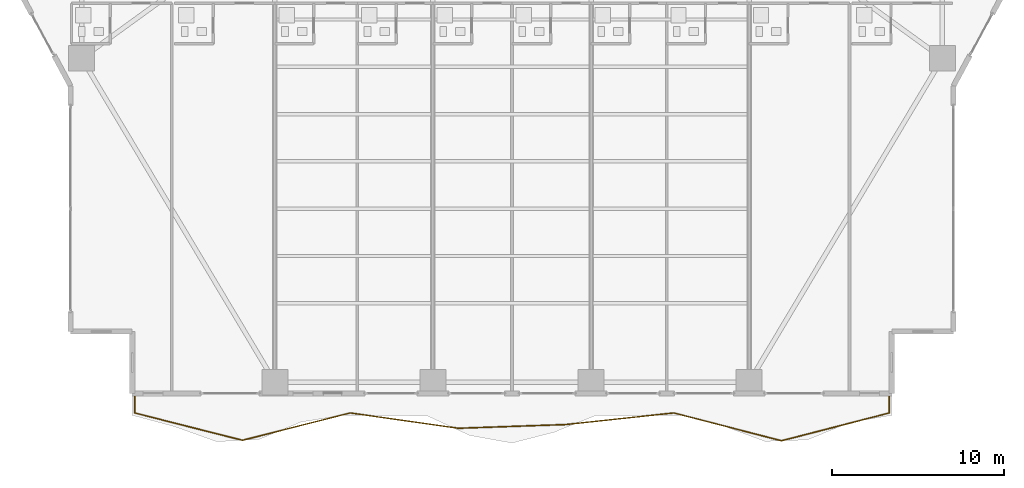
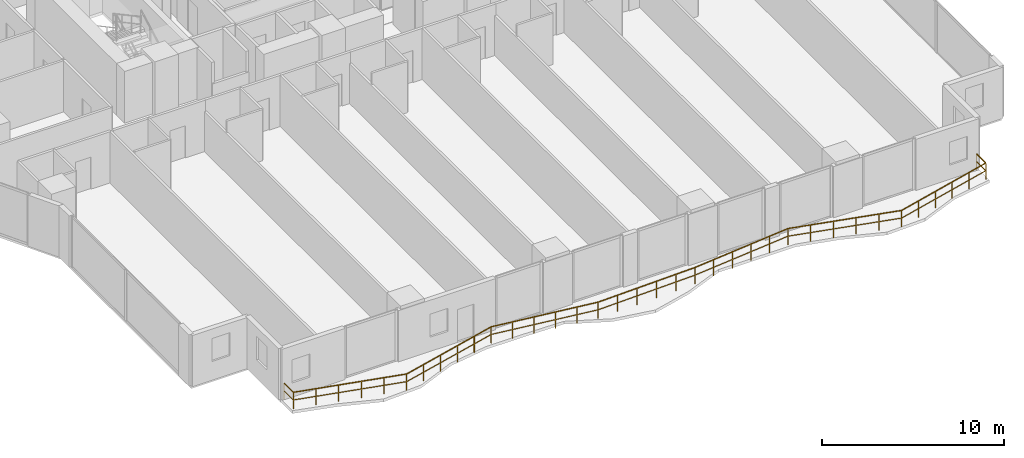
# One storey, part 25 of 29: 1 railing.
"""IFC4 building model written with IfcOpenShell, lengths in metres."""

from ifc_helpers import new_model, si_unit, direction, frame, origin, origin_2d, place, context, subcontext, project, spatial, rectangle, extrude, material, type_object, element, save


model = new_model("IFC4")

# Units and contexts
model_context = context("Model", 3, precision=1e-05, world=origin(), true_north=direction((0.0, 1.0)))
body_context = subcontext(model_context, "Body", "Model", "MODEL_VIEW")
ifc_project = project(units=[si_unit("LENGTHUNIT", "METRE"), si_unit("AREAUNIT", "SQUARE_METRE"), si_unit("VOLUMEUNIT", "CUBIC_METRE"), si_unit("PLANEANGLEUNIT", "RADIAN"), si_unit("MASSUNIT", "GRAM", prefix="KILO")], contexts=[model_context])

# Site, building, storey
site_placement = place(None, origin())
site = spatial("IfcSite", under=ifc_project, at=site_placement, CompositionType="ELEMENT")
building_placement = place(site_placement, origin())
building = spatial("IfcBuilding", under=site, at=building_placement, Name="Zuhayl Quay Hotel", CompositionType="ELEMENT")
storey_placement = place(building_placement, frame((0.0, 0.0, 60.449951171875)))
storey = spatial("IfcBuildingStorey", under=building, at=storey_placement, Name="L14", CompositionType="ELEMENT", Elevation=60.449951171875)

# Railing
ifc_material = material(Name="Anodised Aluminium and Laminated Glass", Category="aluminium")
railing_type = type_object("IfcRailingType", Name="RL_EXT_BAL_1100", PredefinedType="BALUSTRADE", material=ifc_material)
railing_placement = place(storey_placement, frame((-21.9599609375, -23.219970703125, 0.0)))
element("IfcRailing", 1, at=railing_placement, inside=storey, type_object=railing_type, Name="L14 Balcony and Terrace Guard GR_L14_BAL_S", PredefinedType="BALUSTRADE", context=body_context, shape_type="SweptSolid", body=[
    extrude(rectangle(XDim=0.048095703125, YDim=0.048095703125, at=origin_2d()), frame((0.0, 0.0, 1.09619140625), z_axis=(0.0, -1.0, 0.0), x_axis=(1.0, 0.0, 0.0)), (0.0, 0.0, 1.0), 1.02001953125),
    extrude(rectangle(XDim=0.0361328125, YDim=0.0361328125, at=origin_2d()), frame((0.0, 0.0, 0.58251953125), z_axis=(0.0, -1.0, 0.0), x_axis=(1.0, 0.0, 0.0)), (0.0, 0.0, 1.0), 1.02001953125),
    extrude(rectangle(XDim=0.048095703125, YDim=0.048095703125, at=origin_2d()), frame((0.0, -1.02001953125, 1.09619140625), z_axis=(0.969309279983, -0.245844503169, 0.0), x_axis=(0.245844503169, 0.969309279983, 0.0)), (0.0, 0.0, 1.0), 6.472900390625),
    extrude(rectangle(XDim=0.0361328125, YDim=0.0361328125, at=origin_2d()), frame((0.0, -1.02001953125, 0.58251953125), z_axis=(0.969309279983, -0.245844503169, 0.0), x_axis=(0.245844503169, 0.969309279983, 0.0)), (0.0, 0.0, 1.0), 6.472900390625),
    extrude(rectangle(XDim=0.048095703125, YDim=0.048095703125, at=origin_2d()), frame((6.274169921875, -2.611328125, 1.09619140625), z_axis=(0.969311559503, 0.245835515363, 0.0), x_axis=(-0.245835515363, 0.969311559503, 0.0)), (0.0, 0.0, 1.0), 6.47314453125),
    extrude(rectangle(XDim=0.0361328125, YDim=0.0361328125, at=origin_2d()), frame((6.274169921875, -2.611328125, 0.58251953125), z_axis=(0.969311559503, 0.245835515363, 0.0), x_axis=(-0.245835515363, 0.969311559503, 0.0)), (0.0, 0.0, 1.0), 6.47314453125),
    extrude(rectangle(XDim=0.048095703125, YDim=0.048095703125, at=origin_2d()), frame((12.548583984375, -1.02001953125, 1.09619140625), z_axis=(0.990053243312, -0.140693196022, 0.0), x_axis=(0.140693196022, 0.990053243312, 0.0)), (0.0, 0.0, 1.0), 6.337158203125),
    extrude(rectangle(XDim=0.0361328125, YDim=0.0361328125, at=origin_2d()), frame((12.548583984375, -1.02001953125, 0.58251953125), z_axis=(0.990053243312, -0.140693196022, 0.0), x_axis=(0.140693196022, 0.990053243312, 0.0)), (0.0, 0.0, 1.0), 6.337158203125),
    extrude(rectangle(XDim=0.048095703125, YDim=0.048095703125, at=origin_2d()), frame((18.82275390625, -1.91162109375, 1.09619140625), z_axis=(0.999410286773, 0.0343377153, 0.0), x_axis=(-0.0343377153, 0.999410286773, 0.0)), (0.0, 0.0, 1.0), 6.278076171875),
    extrude(rectangle(XDim=0.0361328125, YDim=0.0361328125, at=origin_2d()), frame((18.82275390625, -1.91162109375, 0.58251953125), z_axis=(0.999410286773, 0.0343377153, 0.0), x_axis=(-0.0343377153, 0.999410286773, 0.0)), (0.0, 0.0, 1.0), 6.278076171875),
    extrude(rectangle(XDim=0.048095703125, YDim=0.048095703125, at=origin_2d()), frame((25.09716796875, -1.696044921875, 1.09619140625), z_axis=(0.994245309318, 0.107127330305, 0.0), x_axis=(-0.107127330305, 0.994245309318, 0.0)), (0.0, 0.0, 1.0), 6.310546875),
    extrude(rectangle(XDim=0.0361328125, YDim=0.0361328125, at=origin_2d()), frame((25.09716796875, -1.696044921875, 0.58251953125), z_axis=(0.994245309318, 0.107127330305, 0.0), x_axis=(-0.107127330305, 0.994245309318, 0.0)), (0.0, 0.0, 1.0), 6.310546875),
    extrude(rectangle(XDim=0.048095703125, YDim=0.048095703125, at=origin_2d()), frame((31.371337890625, -1.02001953125, 1.09619140625), z_axis=(0.968270560072, -0.249904226652, 0.0), x_axis=(0.249904226652, 0.968270560072, 0.0)), (0.0, 0.0, 1.0), 6.47998046875),
    extrude(rectangle(XDim=0.0361328125, YDim=0.0361328125, at=origin_2d()), frame((31.371337890625, -1.02001953125, 0.58251953125), z_axis=(0.968270560072, -0.249904226652, 0.0), x_axis=(0.249904226652, 0.968270560072, 0.0)), (0.0, 0.0, 1.0), 6.47998046875),
    extrude(rectangle(XDim=0.048095703125, YDim=0.048095703125, at=origin_2d()), frame((37.645751953125, -2.639404296875, 1.09619140625), z_axis=(0.968268207003, 0.249913343595, 0.0), x_axis=(-0.249913343595, 0.968268207003, 0.0)), (0.0, 0.0, 1.0), 6.479736328125),
    extrude(rectangle(XDim=0.0361328125, YDim=0.0361328125, at=origin_2d()), frame((37.645751953125, -2.639404296875, 0.58251953125), z_axis=(0.968268207003, 0.249913343595, 0.0), x_axis=(-0.249913343595, 0.968268207003, 0.0)), (0.0, 0.0, 1.0), 6.479736328125),
    extrude(rectangle(XDim=0.048095703125, YDim=0.048095703125, at=origin_2d()), frame((43.919921875, -1.02001953125, 1.09619140625), z_axis=(0.0, 1.0, 0.0), x_axis=(-1.0, 0.0, 0.0)), (0.0, 0.0, 1.0), 1.02001953125),
    extrude(rectangle(XDim=0.0361328125, YDim=0.0361328125, at=origin_2d()), frame((43.919921875, -1.02001953125, 0.58251953125), z_axis=(0.0, 1.0, 0.0), x_axis=(-1.0, 0.0, 0.0)), (0.0, 0.0, 1.0), 1.02001953125),
    extrude(rectangle(XDim=0.0419921875, YDim=0.0419921875, at=origin_2d()), origin(), (0.0, 0.0, 1.0), 1.072021484375),
    extrude(rectangle(XDim=0.0419921875, YDim=0.0419921875, at=origin_2d()), frame((0.0, -1.02001953125, 0.0)), (0.0, 0.0, 1.0), 1.072021484375),
    extrude(rectangle(XDim=0.0419921875, YDim=0.0419921875, at=origin_2d()), frame((1.2548828125, -1.33837890625, 0.0)), (0.0, 0.0, 1.0), 1.072021484375),
    extrude(rectangle(XDim=0.0419921875, YDim=0.0419921875, at=origin_2d()), frame((2.509765625, -1.656494140625, 0.0)), (0.0, 0.0, 1.0), 1.072021484375),
    extrude(rectangle(XDim=0.0419921875, YDim=0.0419921875, at=origin_2d()), frame((3.764404296875, -1.974853515625, 0.0)), (0.0, 0.0, 1.0), 1.072021484375),
    extrude(rectangle(XDim=0.0419921875, YDim=0.0419921875, at=origin_2d()), frame((5.019287109375, -2.29296875, 0.0)), (0.0, 0.0, 1.0), 1.072021484375),
    extrude(rectangle(XDim=0.0419921875, YDim=0.0419921875, at=origin_2d()), frame((6.274169921875, -2.611328125, 0.0)), (0.0, 0.0, 1.0), 1.072021484375),
    extrude(rectangle(XDim=0.0419921875, YDim=0.0419921875, at=origin_2d()), frame((7.529052734375, -2.29296875, 0.0)), (0.0, 0.0, 1.0), 1.072021484375),
    extrude(rectangle(XDim=0.0419921875, YDim=0.0419921875, at=origin_2d()), frame((8.783935546875, -1.974853515625, 0.0)), (0.0, 0.0, 1.0), 1.072021484375),
    extrude(rectangle(XDim=0.0419921875, YDim=0.0419921875, at=origin_2d()), frame((10.038818359375, -1.656494140625, 0.0)), (0.0, 0.0, 1.0), 1.072021484375),
    extrude(rectangle(XDim=0.0419921875, YDim=0.0419921875, at=origin_2d()), frame((11.293701171875, -1.33837890625, 0.0)), (0.0, 0.0, 1.0), 1.072021484375),
    extrude(rectangle(XDim=0.0419921875, YDim=0.0419921875, at=origin_2d()), frame((12.548583984375, -1.02001953125, 0.0)), (0.0, 0.0, 1.0), 1.072021484375),
    extrude(rectangle(XDim=0.0419921875, YDim=0.0419921875, at=origin_2d()), frame((13.803466796875, -1.1982421875, 0.0)), (0.0, 0.0, 1.0), 1.072021484375),
    extrude(rectangle(XDim=0.0419921875, YDim=0.0419921875, at=origin_2d()), frame((15.058349609375, -1.376708984375, 0.0)), (0.0, 0.0, 1.0), 1.072021484375),
    extrude(rectangle(XDim=0.0419921875, YDim=0.0419921875, at=origin_2d()), frame((16.31298828125, -1.554931640625, 0.0)), (0.0, 0.0, 1.0), 1.072021484375),
    extrude(rectangle(XDim=0.0419921875, YDim=0.0419921875, at=origin_2d()), frame((17.56787109375, -1.7333984375, 0.0)), (0.0, 0.0, 1.0), 1.072021484375),
    extrude(rectangle(XDim=0.0419921875, YDim=0.0419921875, at=origin_2d()), frame((18.82275390625, -1.91162109375, 0.0)), (0.0, 0.0, 1.0), 1.072021484375),
    extrude(rectangle(XDim=0.0419921875, YDim=0.0419921875, at=origin_2d()), frame((20.07763671875, -1.868408203125, 0.0)), (0.0, 0.0, 1.0), 1.072021484375),
    extrude(rectangle(XDim=0.0419921875, YDim=0.0419921875, at=origin_2d()), frame((21.33251953125, -1.825439453125, 0.0)), (0.0, 0.0, 1.0), 1.072021484375),
    extrude(rectangle(XDim=0.0419921875, YDim=0.0419921875, at=origin_2d()), frame((22.58740234375, -1.7822265625, 0.0)), (0.0, 0.0, 1.0), 1.072021484375),
    extrude(rectangle(XDim=0.0419921875, YDim=0.0419921875, at=origin_2d()), frame((23.84228515625, -1.7392578125, 0.0)), (0.0, 0.0, 1.0), 1.072021484375),
    extrude(rectangle(XDim=0.0419921875, YDim=0.0419921875, at=origin_2d()), frame((25.09716796875, -1.696044921875, 0.0)), (0.0, 0.0, 1.0), 1.072021484375),
    extrude(rectangle(XDim=0.0419921875, YDim=0.0419921875, at=origin_2d()), frame((26.35205078125, -1.560791015625, 0.0)), (0.0, 0.0, 1.0), 1.072021484375),
    extrude(rectangle(XDim=0.0419921875, YDim=0.0419921875, at=origin_2d()), frame((27.60693359375, -1.425537109375, 0.0)), (0.0, 0.0, 1.0), 1.072021484375),
    extrude(rectangle(XDim=0.0419921875, YDim=0.0419921875, at=origin_2d()), frame((28.861572265625, -1.29052734375, 0.0)), (0.0, 0.0, 1.0), 1.072021484375),
    extrude(rectangle(XDim=0.0419921875, YDim=0.0419921875, at=origin_2d()), frame((30.116455078125, -1.1552734375, 0.0)), (0.0, 0.0, 1.0), 1.072021484375),
    extrude(rectangle(XDim=0.0419921875, YDim=0.0419921875, at=origin_2d()), frame((31.371337890625, -1.02001953125, 0.0)), (0.0, 0.0, 1.0), 1.072021484375),
    extrude(rectangle(XDim=0.0419921875, YDim=0.0419921875, at=origin_2d()), frame((32.626220703125, -1.343994140625, 0.0)), (0.0, 0.0, 1.0), 1.072021484375),
    extrude(rectangle(XDim=0.0419921875, YDim=0.0419921875, at=origin_2d()), frame((33.881103515625, -1.667724609375, 0.0)), (0.0, 0.0, 1.0), 1.072021484375),
    extrude(rectangle(XDim=0.0419921875, YDim=0.0419921875, at=origin_2d()), frame((35.135986328125, -1.99169921875, 0.0)), (0.0, 0.0, 1.0), 1.072021484375),
    extrude(rectangle(XDim=0.0419921875, YDim=0.0419921875, at=origin_2d()), frame((36.390869140625, -2.3154296875, 0.0)), (0.0, 0.0, 1.0), 1.072021484375),
    extrude(rectangle(XDim=0.0419921875, YDim=0.0419921875, at=origin_2d()), frame((37.645751953125, -2.639404296875, 0.0)), (0.0, 0.0, 1.0), 1.072021484375),
    extrude(rectangle(XDim=0.0419921875, YDim=0.0419921875, at=origin_2d()), frame((38.900634765625, -2.3154296875, 0.0)), (0.0, 0.0, 1.0), 1.072021484375),
    extrude(rectangle(XDim=0.0419921875, YDim=0.0419921875, at=origin_2d()), frame((40.155517578125, -1.99169921875, 0.0)), (0.0, 0.0, 1.0), 1.072021484375),
    extrude(rectangle(XDim=0.0419921875, YDim=0.0419921875, at=origin_2d()), frame((41.41015625, -1.667724609375, 0.0)), (0.0, 0.0, 1.0), 1.072021484375),
    extrude(rectangle(XDim=0.0419921875, YDim=0.0419921875, at=origin_2d()), frame((42.6650390625, -1.343994140625, 0.0)), (0.0, 0.0, 1.0), 1.072021484375),
    extrude(rectangle(XDim=0.0419921875, YDim=0.0419921875, at=origin_2d()), frame((43.919921875, -1.02001953125, 0.0)), (0.0, 0.0, 1.0), 1.072021484375),
    extrude(rectangle(XDim=0.0419921875, YDim=0.0419921875, at=origin_2d()), frame((43.919921875, 0.0, 0.0)), (0.0, 0.0, 1.0), 1.072021484375),
])

save(model, "model.ifc")
